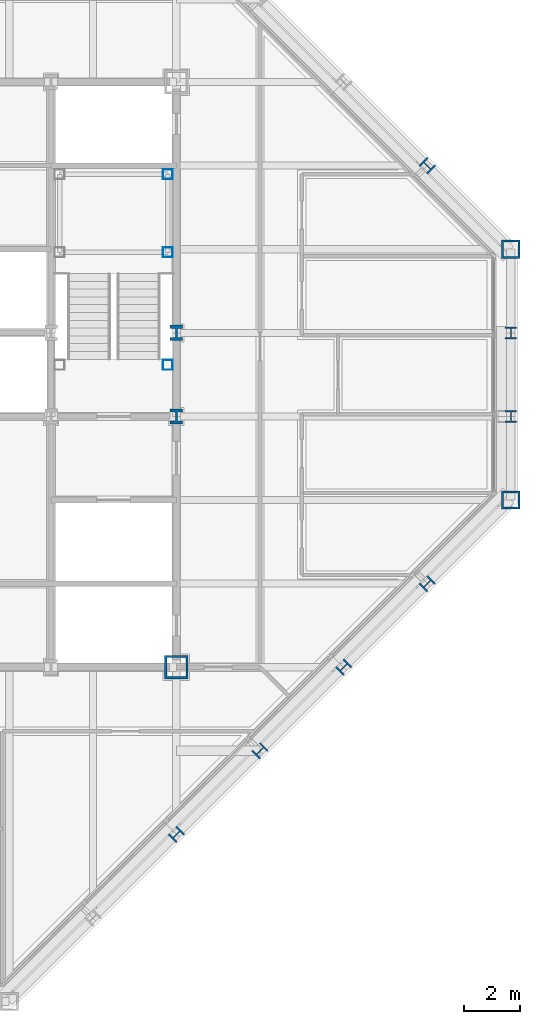
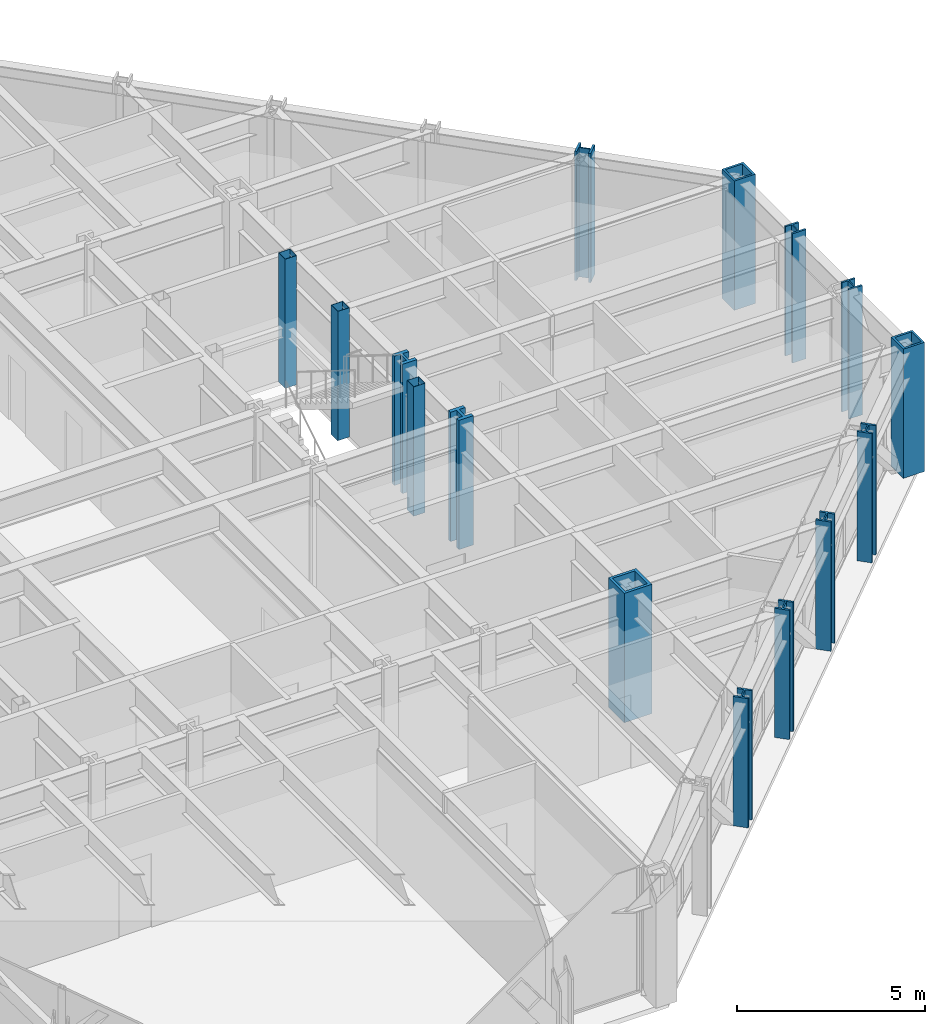
# One storey, part 3 of 15: 15 columns.
"""IFC4 building model written with IfcOpenShell, lengths in metres."""

from ifc_helpers import new_model, si_unit, direction, frame, origin, origin_2d, place, context, subcontext, project, spatial, hollow_rectangle, i_section, extrude, material, material_profile, profile_set, type_object, element, save


model = new_model("IFC4")

# Units and contexts
model_context = context("Model", 3, precision=1e-05, world=origin(), true_north=direction((0.0, 1.0)))
body_context = subcontext(model_context, "Body", "Model", "MODEL_VIEW")
ifc_project = project(units=[si_unit("LENGTHUNIT", "METRE"), si_unit("AREAUNIT", "SQUARE_METRE"), si_unit("VOLUMEUNIT", "CUBIC_METRE"), si_unit("PLANEANGLEUNIT", "RADIAN"), si_unit("MASSUNIT", "GRAM", prefix="KILO")], contexts=[model_context])

# Site, building, storey
site_placement = place(None, origin())
site = spatial("IfcSite", under=ifc_project, at=site_placement, CompositionType="ELEMENT")
building_placement = place(site_placement, origin())
building = spatial("IfcBuilding", under=site, at=building_placement, Name="Chuquiago Exchange Tower", CompositionType="ELEMENT")
storey_placement = place(building_placement, frame((0.0, 0.0, 279.0)))
storey = spatial("IfcBuildingStorey", under=building, at=storey_placement, Name="L62", CompositionType="ELEMENT", Elevation=279.0)

# Columns
ifc_material_1 = material(Name="Steel ASTM A992", Category="steel")
ifc_material_profile_1 = material_profile(ifc_material_1, i_section(OverallWidth=0.411376953125, OverallDepth=0.434326171875, WebThickness=0.035888671875, FlangeThickness=0.057373046875, at=origin_2d()), Name="W14X311")
ifc_profile_set_1 = profile_set([ifc_material_profile_1], Name="Steel ASTM A992")
column_type_1 = type_object("IfcColumnType", Name="C5 W14X311", PredefinedType="COLUMN", material=ifc_profile_set_1)
for number, where, z_axis, x_axis, name in (
    (1, (45.0, 21.0, 0.0), (0.0, 0.0, 1.0), (1.0, 0.0, 0.0), "COL-L62-45_21"),
    (2, (45.0, 24.0, 0.0), (0.0, 0.0, 1.0), (1.0, 0.0, 0.0), "COL-L62-45_24"),
):
    element("IfcColumn", number, at=place(storey_placement, frame(where, z_axis=z_axis, x_axis=x_axis)), inside=storey, type_object=column_type_1, Name=name, PredefinedType="COLUMN", context=body_context, shape_type="SweptSolid", body=[
        extrude(i_section(OverallWidth=0.411376953125, OverallDepth=0.434326171875, WebThickness=0.035888671875, FlangeThickness=0.057373046875, at=origin_2d()), origin(), (0.0, 0.0, 1.0), 4.199951171875),
    ])
ifc_material_2 = material(Name="Steel ASTM A992", Category="steel")
ifc_material_profile_2 = material_profile(ifc_material_2, i_section(OverallWidth=0.449462890625, OverallDepth=0.548583984375, WebThickness=0.07177734375, FlangeThickness=0.11474609375, at=origin_2d()), Name="W14X665")
ifc_profile_set_2 = profile_set([ifc_material_profile_2], Name="Steel ASTM A992")
column_type_2 = type_object("IfcColumnType", Name="CC5 W14X665", PredefinedType="COLUMN", material=ifc_profile_set_2)
for number, where, z_axis, x_axis, name in (
    (3, (33.0, 21.0, 0.0), (0.0, 0.0, 1.0), (1.0, 0.0, 0.0), "CCOL-L62-33_21"),
    (4, (33.0, 24.0, 0.0), (0.0, 0.0, 1.0), (1.0, 0.0, 0.0), "CCOL-L62-33_24"),
):
    element("IfcColumn", number, at=place(storey_placement, frame(where, z_axis=z_axis, x_axis=x_axis)), inside=storey, type_object=column_type_2, Name=name, PredefinedType="COLUMN", context=body_context, shape_type="SweptSolid", body=[
        extrude(i_section(OverallWidth=0.449462890625, OverallDepth=0.548583984375, WebThickness=0.07177734375, FlangeThickness=0.11474609375, at=origin_2d()), origin(), (0.0, 0.0, 1.0), 4.199951171875),
    ])
ifc_material_3 = material(Name="Steel ASTM A572 Grade 50", Category="steel")
ifc_material_profile_3 = material_profile(ifc_material_3, hollow_rectangle(XDim=0.85009765625, YDim=0.85009765625, WallThickness=0.0849609375, at=origin_2d()), Name="BOX850X850X85")
ifc_profile_set_3 = profile_set([ifc_material_profile_3], Name="Steel ASTM A572 Grade 50")
column_type_3 = type_object("IfcColumnType", Name="CC6 BOX850X850X85", PredefinedType="COLUMN", material=ifc_profile_set_3)
column_placement = place(storey_placement, frame((33.0, 12.0, 0.0), z_axis=(0.0, 0.0, 1.0), x_axis=(1.0, 0.0, 0.0)))
element("IfcColumn", 5, at=column_placement, inside=storey, type_object=column_type_3, Name="CCOL-L62-33_12", PredefinedType="COLUMN", context=body_context, shape_type="SweptSolid", body=[
    extrude(hollow_rectangle(XDim=0.85009765625, YDim=0.85009765625, WallThickness=0.0849609375, at=origin_2d()), origin(), (0.0, 0.0, 1.0), 4.199951171875),
])
ifc_material_4 = material(Name="Steel ASTM A992", Category="steel")
ifc_material_profile_4 = material_profile(ifc_material_4, i_section(OverallWidth=0.41650390625, OverallDepth=0.444580078125, WebThickness=0.0390625, FlangeThickness=0.062744140625, at=origin_2d()), Name="W14X342")
ifc_profile_set_4 = profile_set([ifc_material_profile_4], Name="Steel ASTM A992")
column_type_4 = type_object("IfcColumnType", Name="CK5 W14X342", PredefinedType="COLUMN", material=ifc_profile_set_4)
for number, where, z_axis, x_axis, name in (
    (6, (33.0, 6.0, 0.0), (0.0, 0.0, 1.0), (0.707106781187, -0.707106781187, 0.0), "COL-L62-33_6"),
    (7, (36.0, 9.0, 0.0), (0.0, 0.0, 1.0), (0.707106781187, -0.707106781187, 0.0), "COL-L62-36_9"),
    (8, (39.0, 12.0, 0.0), (0.0, 0.0, 1.0), (0.707106781187, -0.707106781187, 0.0), "COL-L62-39_12"),
    (9, (42.0, 15.0, 0.0), (0.0, 0.0, 1.0), (0.707106781187, -0.707106781187, 0.0), "COL-L62-42_15"),
    (10, (42.0, 30.0, 0.0), (0.0, 0.0, 1.0), (0.707106781187, 0.707106781187, 0.0), "COL-L62-42_30"),
):
    element("IfcColumn", number, at=place(storey_placement, frame(where, z_axis=z_axis, x_axis=x_axis)), inside=storey, type_object=column_type_4, Name=name, PredefinedType="COLUMN", context=body_context, shape_type="SweptSolid", body=[
        extrude(i_section(OverallWidth=0.41650390625, OverallDepth=0.444580078125, WebThickness=0.0390625, FlangeThickness=0.062744140625, at=origin_2d()), origin(), (0.0, 0.0, 1.0), 4.199951171875),
    ])
ifc_material_5 = material(Name="Steel ASTM A572 Grade 50", Category="steel")
ifc_material_profile_5 = material_profile(ifc_material_5, hollow_rectangle(XDim=0.64990234375, YDim=0.64990234375, WallThickness=0.06494140625, at=origin_2d()), Name="BOX650X650X65")
ifc_profile_set_5 = profile_set([ifc_material_profile_5], Name="Steel ASTM A572 Grade 50")
column_type_5 = type_object("IfcColumnType", Name="CN2 BOX650X650X65", PredefinedType="COLUMN", material=ifc_profile_set_5)
for number, where, z_axis, x_axis, name in (
    (11, (45.0, 18.0, 0.0), (0.0, 0.0, 1.0), (1.0, 0.0, 0.0), "COL-L62-45_18"),
    (12, (45.0, 27.0, 0.0), (0.0, 0.0, 1.0), (1.0, 0.0, 0.0), "COL-L62-45_27"),
):
    element("IfcColumn", number, at=place(storey_placement, frame(where, z_axis=z_axis, x_axis=x_axis)), inside=storey, type_object=column_type_5, Name=name, PredefinedType="COLUMN", context=body_context, shape_type="SweptSolid", body=[
        extrude(hollow_rectangle(XDim=0.64990234375, YDim=0.64990234375, WallThickness=0.06494140625, at=origin_2d()), origin(), (0.0, 0.0, 1.0), 4.199951171875),
    ])
ifc_material_6 = material(Name="Steel ASTM A500 Grade C", Category="steel")
ifc_material_profile_6 = material_profile(ifc_material_6, hollow_rectangle(XDim=0.355712890625, YDim=0.355712890625, WallThickness=0.0087890625, at=origin_2d()), Name="HSS14X14X3/8")
ifc_profile_set_6 = profile_set([ifc_material_profile_6], Name="Steel ASTM A500 Grade C")
column_type_6 = type_object("IfcColumnType", Name="PT1 HSS14X14X3/8", PredefinedType="COLUMN", material=ifc_profile_set_6)
for number, where, z_axis, x_axis, name in (
    (13, (32.68994140625, 29.68994140625, 0.0), (0.0, 0.0, 1.0), (1.0, 0.0, 0.0), "Stair ST2 L62 landing post"),
    (14, (32.68994140625, 26.889892578125, 0.0), (0.0, 0.0, 1.0), (1.0, 0.0, 0.0), "Stair ST2 L62 landing post"),
    (15, (32.68994140625, 22.85009765625, 0.0), (0.0, 0.0, 1.0), (1.0, 0.0, 0.0), "Stair ST2 L62 landing post"),
):
    element("IfcColumn", number, at=place(storey_placement, frame(where, z_axis=z_axis, x_axis=x_axis)), inside=storey, type_object=column_type_6, Name=name, PredefinedType="COLUMN", context=body_context, shape_type="SweptSolid", body=[
        extrude(hollow_rectangle(XDim=0.355712890625, YDim=0.355712890625, WallThickness=0.0087890625, at=origin_2d()), origin(), (0.0, 0.0, 1.0), 4.199951171875),
    ])

save(model, "model.ifc")
